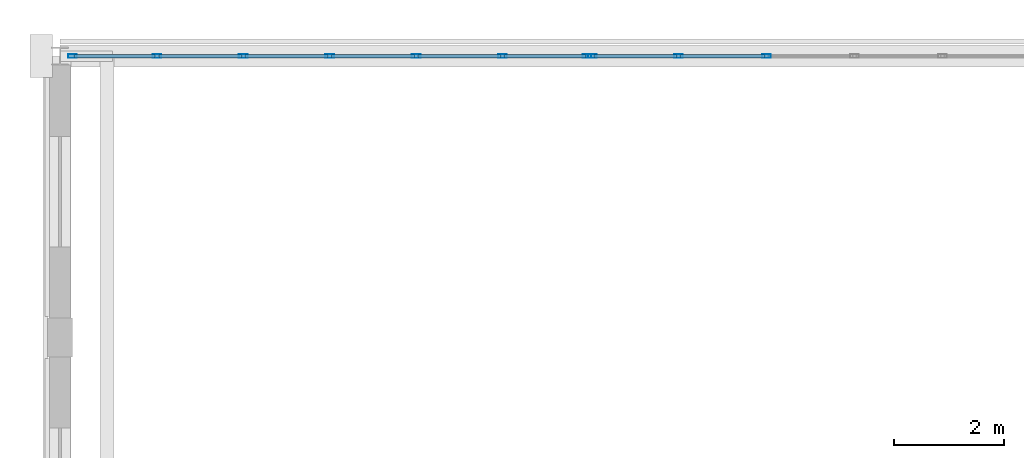
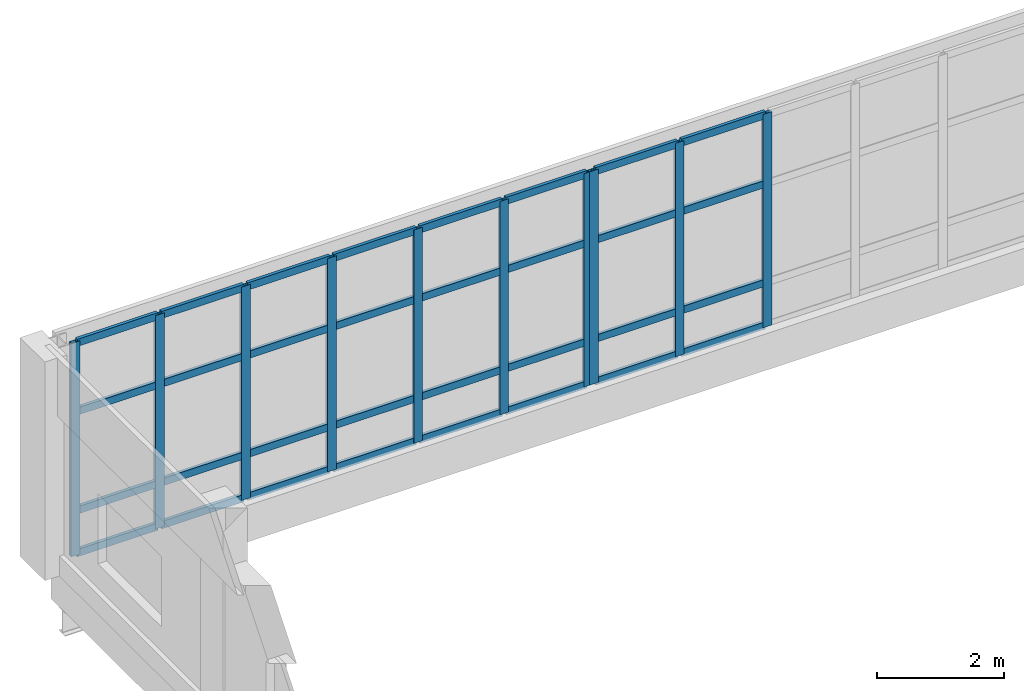
# One storey, part 55 of 170: 42 members, 2 elements without a shape of their own.
"""IFC4 building model written with IfcOpenShell, lengths in metres."""

import ifcopenshell
import ifcopenshell.guid

model = None  # the IFC model being written
_history = None  # IfcOwnerHistory: only IFC2X3 demands one
_inside = {}  # id of a spatial element -> (the spatial element, [elements in it])
_under = {}  # id of a project, library or spatial element -> (it, [spatial elements below it])
_declared = {}  # id of a project -> (the project, [libraries it declares])
_typed = {}  # id of a type object -> (the type object, [elements of that type])
_made_of = {}  # id of a material, layer set ... -> (it, [elements and type objects made of it])


def new_model(schema):
    """Start an empty IFC model of exactly this schema.

    Asked for "IFC4X3", IfcOpenShell would pick the latest addendum, in which some entities
    have other attributes; the version numbers below select the first issue.
    IFC2X3 requires an IfcOwnerHistory on every rooted entity: one is made here for all.
    """
    global model, _history
    if schema == "IFC4X3":
        model = ifcopenshell.file(schema_version=(4, 3, 0, 0))
    else:
        model = ifcopenshell.file(schema=schema)
    _inside.clear()
    _under.clear()
    _declared.clear()
    _typed.clear()
    _made_of.clear()
    _history = None
    if model.schema == "IFC2X3":
        org = make("IfcOrganization", Name="unknown")
        user = make(
            "IfcPersonAndOrganization",
            ThePerson=make("IfcPerson", FamilyName="unknown"),
            TheOrganization=org,
        )
        app = make(
            "IfcApplication",
            ApplicationDeveloper=org,
            Version="unknown",
            ApplicationFullName="unknown",
            ApplicationIdentifier="unknown",
        )
        _history = make(
            "IfcOwnerHistory",
            OwningUser=user,
            OwningApplication=app,
            ChangeAction="ADDED",
            CreationDate=0,
        )
    return model


def make(cls, **values):
    """One entity of the class cls with the attributes given. An attribute that is None is left unset."""
    return model.create_entity(
        cls, **{name: value for name, value in values.items() if value is not None}
    )


def rooted(cls, **values):
    """An entity with a GlobalId (a new one), such as an element, a storey or a relation."""
    return make(cls, GlobalId=ifcopenshell.guid.new(), OwnerHistory=_history, **values)


def si_unit(unit_type, name, prefix=None):
    """IfcSIUnit, for example si_unit("LENGTHUNIT", "METRE", prefix="MILLI")."""
    return make("IfcSIUnit", UnitType=unit_type, Prefix=prefix, Name=name)


def assignment(units):
    """IfcUnitAssignment: the units of a project."""
    return None if units is None else make("IfcUnitAssignment", Units=units)


def point(xyz):
    """IfcCartesianPoint."""
    return None if xyz is None else make("IfcCartesianPoint", Coordinates=xyz)


def direction(xyz):
    """IfcDirection."""
    return None if xyz is None else make("IfcDirection", DirectionRatios=xyz)


def frame(location, z_axis=None, x_axis=None):
    """IfcAxis2Placement3D, a coordinate frame: its origin and axes. An axis left out is left unset."""
    return make(
        "IfcAxis2Placement3D",
        Location=point(location),
        Axis=direction(z_axis),
        RefDirection=direction(x_axis),
    )


def frame_2d(location, x_axis=None):
    """IfcAxis2Placement2D, a coordinate frame in the plane: its origin and x axis."""
    return make(
        "IfcAxis2Placement2D", Location=point(location), RefDirection=direction(x_axis)
    )


def origin():
    """The frame at (0, 0, 0) with its axes left unset."""
    return frame((0.0, 0.0, 0.0))


def origin_2d():
    """The frame at (0, 0) in the plane with its x axis left unset."""
    return frame_2d((0.0, 0.0))


def place(relative_to, where):
    """IfcLocalPlacement: puts the frame where relative to a parent placement (None: the world)."""
    return make(
        "IfcLocalPlacement", PlacementRelTo=relative_to, RelativePlacement=where
    )


def context(
    kind, dimensions, precision=None, world=None, true_north=None, identifier=None
):
    """IfcGeometricRepresentationContext, for example the 3D "Model" context."""
    return make(
        "IfcGeometricRepresentationContext",
        ContextIdentifier=identifier,
        ContextType=kind,
        CoordinateSpaceDimension=dimensions,
        Precision=precision,
        WorldCoordinateSystem=world,
        TrueNorth=true_north,
    )


def subcontext(parent, identifier, kind, view, scale=None):
    """IfcGeometricRepresentationSubContext, for example "Body" below "Model"."""
    return make(
        "IfcGeometricRepresentationSubContext",
        ContextIdentifier=identifier,
        ContextType=kind,
        ParentContext=parent,
        TargetScale=scale,
        TargetView=view,
    )


def project(units=None, contexts=None):
    """IfcProject with its units and contexts."""
    return rooted(
        "IfcProject",
        Name="project",
        RepresentationContexts=contexts,
        UnitsInContext=assignment(units),
    )


def spatial(cls, under=None, at=None, **own):
    """A site, building, storey or space (cls), placed at a placement, below another one or the project."""
    s = rooted(cls, ObjectPlacement=at, **own)
    if under is not None:
        _under.setdefault(under.id(), (under, []))[1].append(s)
    return s


def profile(cls, at=None, kind="AREA", **sizes):
    """A parametric profile (cls). Its sizes go by their IFC names, for example OverallWidth=200.0."""
    return make(cls, ProfileType=kind, Position=at, **sizes)


def hollow_rectangle(**sizes):
    """IfcRectangleHollowProfileDef."""
    return profile("IfcRectangleHollowProfileDef", **sizes)


def extrude(swept, where, along, depth):
    """IfcExtrudedAreaSolid: the profile swept, set in the frame where, extruded along a direction by depth."""
    return make(
        "IfcExtrudedAreaSolid",
        SweptArea=swept,
        Position=where,
        ExtrudedDirection=direction(along),
        Depth=depth,
    )


def shape(context_of_items, identifier, shape_type, items):
    """IfcShapeRepresentation: the items that make up one representation, for example the "Body"."""
    return make(
        "IfcShapeRepresentation",
        ContextOfItems=context_of_items,
        RepresentationIdentifier=identifier,
        RepresentationType=shape_type,
        Items=items,
    )


def material(Name=None, Category=None):
    """IfcMaterial."""
    return make("IfcMaterial", Name=Name, Category=Category)


def material_profile(
    of_material, cross_section, Name=None, Category=None, Priority=None
):
    """IfcMaterialProfile: a cross section and its material."""
    return make(
        "IfcMaterialProfile",
        Name=Name,
        Material=of_material,
        Profile=cross_section,
        Priority=Priority,
        Category=Category,
    )


def profile_set(profiles, Name=None, composite=None):
    """IfcMaterialProfileSet."""
    return make(
        "IfcMaterialProfileSet",
        Name=Name,
        MaterialProfiles=profiles,
        CompositeProfile=composite,
    )


def made_of(thing, what):
    """Note that an element or type object is made of a material, layer set ...; save() writes the relation."""
    if what is not None:
        _made_of.setdefault(what.id(), (what, []))[1].append(thing)
    return thing


def type_object(cls, material=None, **own):
    """A type object (cls), such as IfcWallType, which elements share."""
    return made_of(rooted(cls, **own), material)


def element(
    cls,
    number,
    at=None,
    inside=None,
    cuts=None,
    type_object=None,
    material=None,
    context=None,
    identifier="Body",
    shape_type=None,
    held_by="IfcProductDefinitionShape",
    body=None,
    shapes=None,
    **own,
):
    """One element of the class cls, such as IfcWall. Its Tag is "e" and its number.

    at: its placement. inside: the storey or other place that contains it. cuts: it is an
    opening in that element (IfcRelVoidsElement). A single representation is given by context,
    identifier, shape_type and body (its items); several are given by shapes. held_by: the class
    of the entity that holds the representations. save() writes the other relations.
    """
    e = rooted(cls, Tag="e%d" % number, ObjectPlacement=at, **own)
    if body is not None:
        shapes = [shape(context, identifier, shape_type, body)]
    if shapes is not None:
        e.Representation = make(held_by, Representations=shapes)
    if inside is not None:
        _inside.setdefault(inside.id(), (inside, []))[1].append(e)
    if cuts is not None:
        rooted(
            "IfcRelVoidsElement", RelatingBuildingElement=cuts, RelatedOpeningElement=e
        )
    if type_object is not None:
        _typed.setdefault(type_object.id(), (type_object, []))[1].append(e)
    return made_of(e, material)


def aggregate(whole, parts):
    """IfcRelAggregates: a whole, such as a stair, and the parts it consists of."""
    return rooted("IfcRelAggregates", RelatingObject=whole, RelatedObjects=parts)


def save(model, path):
    """Write the relations noted so far, then the file.

    IfcRelAggregates (storeys below a building ...), IfcRelContainedInSpatialStructure (elements
    in a storey), IfcRelDefinesByType, IfcRelAssociatesMaterial and IfcRelDeclares: one each for
    every whole, place, type object, material and project.
    """
    for whole, parts in _under.values():
        aggregate(whole, parts)
    for where, things in _inside.values():
        rooted(
            "IfcRelContainedInSpatialStructure",
            RelatedElements=things,
            RelatingStructure=where,
        )
    for kind, things in _typed.values():
        rooted("IfcRelDefinesByType", RelatedObjects=things, RelatingType=kind)
    for what, things in _made_of.values():
        rooted("IfcRelAssociatesMaterial", RelatedObjects=things, RelatingMaterial=what)
    for by, libraries in _declared.values():
        rooted("IfcRelDeclares", RelatingContext=by, RelatedDefinitions=libraries)
    model.write(path)


model = new_model("IFC4")

# Units and contexts
model_context = context("Model", 3, precision=1e-05, world=origin(), true_north=direction((0.0, 1.0)))
body_context = subcontext(model_context, "Body", "Model", "MODEL_VIEW")
ifc_project = project(units=[si_unit("LENGTHUNIT", "METRE"), si_unit("AREAUNIT", "SQUARE_METRE"), si_unit("VOLUMEUNIT", "CUBIC_METRE"), si_unit("PLANEANGLEUNIT", "RADIAN"), si_unit("MASSUNIT", "GRAM", prefix="KILO")], contexts=[model_context])

# Site, building, storey
site_placement = place(None, origin())
site = spatial("IfcSite", under=ifc_project, at=site_placement, CompositionType="ELEMENT")
building_placement = place(site_placement, origin())
building = spatial("IfcBuilding", under=site, at=building_placement, Name="Vondelvale Polytechnic", CompositionType="ELEMENT")
storey_placement = place(building_placement, frame((0.0, 0.0, 5.39990234375)))
storey = spatial("IfcBuildingStorey", under=building, at=storey_placement, Name="L01", CompositionType="ELEMENT", Elevation=5.39990234375)

# Curtain wall, members
ifc_material = material(Name="Anodised extruded aluminium 6063-T6", Category="aluminium")
curtain_wall_type = type_object("IfcCurtainWallType", Name="CW-STUDIO-NORTH", PredefinedType="NOTDEFINED", material=ifc_material)
curtain_wall_1_placement = place(storey_placement, origin())
curtain_wall_1 = element("IfcCurtainWall", 1, at=curtain_wall_1_placement, inside=storey, type_object=curtain_wall_type, Name="L01 architectural curtain wall CW-01-001", PredefinedType="NOTDEFINED")
ifc_material_profile_1 = material_profile(ifc_material, hollow_rectangle(XDim=0.06494140625, YDim=0.159912109375, WallThickness=0.0048828125, at=origin_2d()), Name="CW-MUL-160x65")
ifc_profile_set_1 = profile_set([ifc_material_profile_1], Name="Anodised extruded aluminium 6063-T6")
member_type_1 = type_object("IfcMemberType", Name="CW-MUL-65x160", PredefinedType="MULLION", material=ifc_profile_set_1)
member_1_placement = place(storey_placement, frame((0.22607421875, 122.39990234375, 0.0), z_axis=(0.0, 0.0, 1.0), x_axis=(0.0, 1.0, 0.0)))
member_1 = element("IfcMember", 2, at=member_1_placement, type_object=member_type_1, Name="CW-01-001 mullion 1", PredefinedType="MULLION", context=body_context, shape_type="SweptSolid", body=[
    extrude(hollow_rectangle(XDim=0.06494140625, YDim=0.159912109375, WallThickness=0.0048828125, at=origin_2d()), origin(), (0.0, 0.0, 1.0), 4.10009765625),
])
member_2_placement = place(storey_placement, frame((1.7587890625, 122.39990234375, 0.0), z_axis=(0.0, 0.0, 1.0), x_axis=(0.0, 1.0, 0.0)))
member_2 = element("IfcMember", 3, at=member_2_placement, type_object=member_type_1, Name="CW-01-001 mullion 2", PredefinedType="MULLION", context=body_context, shape_type="SweptSolid", body=[
    extrude(hollow_rectangle(XDim=0.06494140625, YDim=0.159912109375, WallThickness=0.0048828125, at=origin_2d()), origin(), (0.0, 0.0, 1.0), 4.10009765625),
])
member_3_placement = place(storey_placement, frame((3.323974609375, 122.39990234375, 0.0), z_axis=(0.0, 0.0, 1.0), x_axis=(0.0, 1.0, 0.0)))
member_3 = element("IfcMember", 4, at=member_3_placement, type_object=member_type_1, Name="CW-01-001 mullion 3", PredefinedType="MULLION", context=body_context, shape_type="SweptSolid", body=[
    extrude(hollow_rectangle(XDim=0.06494140625, YDim=0.159912109375, WallThickness=0.0048828125, at=origin_2d()), origin(), (0.0, 0.0, 1.0), 4.10009765625),
])
member_4_placement = place(storey_placement, frame((4.88916015625, 122.39990234375, 0.0), z_axis=(0.0, 0.0, 1.0), x_axis=(0.0, 1.0, 0.0)))
member_4 = element("IfcMember", 5, at=member_4_placement, type_object=member_type_1, Name="CW-01-001 mullion 4", PredefinedType="MULLION", context=body_context, shape_type="SweptSolid", body=[
    extrude(hollow_rectangle(XDim=0.06494140625, YDim=0.159912109375, WallThickness=0.0048828125, at=origin_2d()), origin(), (0.0, 0.0, 1.0), 4.10009765625),
])
member_5_placement = place(storey_placement, frame((6.45458984375, 122.39990234375, 0.0), z_axis=(0.0, 0.0, 1.0), x_axis=(0.0, 1.0, 0.0)))
member_5 = element("IfcMember", 6, at=member_5_placement, type_object=member_type_1, Name="CW-01-001 mullion 5", PredefinedType="MULLION", context=body_context, shape_type="SweptSolid", body=[
    extrude(hollow_rectangle(XDim=0.06494140625, YDim=0.159912109375, WallThickness=0.0048828125, at=origin_2d()), origin(), (0.0, 0.0, 1.0), 4.10009765625),
])
member_6_placement = place(storey_placement, frame((8.019775390625, 122.39990234375, 0.0), z_axis=(0.0, 0.0, 1.0), x_axis=(0.0, 1.0, 0.0)))
member_6 = element("IfcMember", 7, at=member_6_placement, type_object=member_type_1, Name="CW-01-001 mullion 6", PredefinedType="MULLION", context=body_context, shape_type="SweptSolid", body=[
    extrude(hollow_rectangle(XDim=0.06494140625, YDim=0.159912109375, WallThickness=0.0048828125, at=origin_2d()), origin(), (0.0, 0.0, 1.0), 4.10009765625),
])
member_7_placement = place(storey_placement, frame((9.552490234375, 122.39990234375, 0.0), z_axis=(0.0, 0.0, 1.0), x_axis=(0.0, 1.0, 0.0)))
member_7 = element("IfcMember", 8, at=member_7_placement, type_object=member_type_1, Name="CW-01-001 mullion 7", PredefinedType="MULLION", context=body_context, shape_type="SweptSolid", body=[
    extrude(hollow_rectangle(XDim=0.06494140625, YDim=0.159912109375, WallThickness=0.0048828125, at=origin_2d()), origin(), (0.0, 0.0, 1.0), 4.10009765625),
])

curtain_wall_2_placement = place(storey_placement, origin())
curtain_wall_2 = element("IfcCurtainWall", 9, at=curtain_wall_2_placement, inside=storey, type_object=curtain_wall_type, Name="L01 architectural curtain wall CW-01-002", PredefinedType="NOTDEFINED")
member_8_placement = place(storey_placement, frame((9.6474609375, 122.39990234375, 0.0), z_axis=(0.0, 0.0, 1.0), x_axis=(0.0, 1.0, 0.0)))
member_8 = element("IfcMember", 10, at=member_8_placement, type_object=member_type_1, Name="CW-01-002 mullion 1", PredefinedType="MULLION", context=body_context, shape_type="SweptSolid", body=[
    extrude(hollow_rectangle(XDim=0.06494140625, YDim=0.159912109375, WallThickness=0.0048828125, at=origin_2d()), origin(), (0.0, 0.0, 1.0), 4.10009765625),
])
member_9_placement = place(storey_placement, frame((11.2099609375, 122.39990234375, 0.0), z_axis=(0.0, 0.0, 1.0), x_axis=(0.0, 1.0, 0.0)))
member_9 = element("IfcMember", 11, at=member_9_placement, type_object=member_type_1, Name="CW-01-002 mullion 2", PredefinedType="MULLION", context=body_context, shape_type="SweptSolid", body=[
    extrude(hollow_rectangle(XDim=0.06494140625, YDim=0.159912109375, WallThickness=0.0048828125, at=origin_2d()), origin(), (0.0, 0.0, 1.0), 4.10009765625),
])
member_10_placement = place(storey_placement, frame((12.804931640625, 122.39990234375, 0.0), z_axis=(0.0, 0.0, 1.0), x_axis=(0.0, 1.0, 0.0)))
member_10 = element("IfcMember", 12, at=member_10_placement, type_object=member_type_1, Name="CW-01-002 mullion 3", PredefinedType="MULLION", context=body_context, shape_type="SweptSolid", body=[
    extrude(hollow_rectangle(XDim=0.06494140625, YDim=0.159912109375, WallThickness=0.0048828125, at=origin_2d()), origin(), (0.0, 0.0, 1.0), 4.10009765625),
])

# Member
ifc_material_profile_2 = material_profile(ifc_material, hollow_rectangle(XDim=0.06005859375, YDim=0.139892578125, WallThickness=0.00341796875, at=origin_2d()), Name="CW-TRN-140x60")
ifc_profile_set_2 = profile_set([ifc_material_profile_2], Name="Anodised extruded aluminium 6063-T6")
member_type_2 = type_object("IfcMemberType", Name="CW-TRN-60x140", PredefinedType="USERDEFINED", material=ifc_profile_set_2)
member_11_placement = place(storey_placement, frame((0.258544921875, 122.39990234375, 0.030029296875), z_axis=(1.0, 0.0, 0.0), x_axis=(0.0, 1.0, 0.0)))
member_11 = element("IfcMember", 13, at=member_11_placement, type_object=member_type_2, Name="CW-01-001 transom 1.1", ObjectType="TRANSOM", PredefinedType="USERDEFINED", context=body_context, shape_type="SweptSolid", body=[
    extrude(hollow_rectangle(XDim=0.06005859375, YDim=0.139892578125, WallThickness=0.00341796875, at=origin_2d()), origin(), (0.0, 0.0, 1.0), 1.4677734375),
])

member_12_placement = place(storey_placement, frame((0.258544921875, 122.39990234375, 0.85009765625), z_axis=(1.0, 0.0, 0.0), x_axis=(0.0, 1.0, 0.0)))
member_12 = element("IfcMember", 14, at=member_12_placement, type_object=member_type_2, Name="CW-01-001 transom 1.2", ObjectType="TRANSOM", PredefinedType="USERDEFINED", context=body_context, shape_type="SweptSolid", body=[
    extrude(hollow_rectangle(XDim=0.06005859375, YDim=0.139892578125, WallThickness=0.00341796875, at=origin_2d()), origin(), (0.0, 0.0, 1.0), 1.4677734375),
])

member_13_placement = place(storey_placement, frame((0.258544921875, 122.39990234375, 2.75), z_axis=(1.0, 0.0, 0.0), x_axis=(0.0, 1.0, 0.0)))
member_13 = element("IfcMember", 15, at=member_13_placement, type_object=member_type_2, Name="CW-01-001 transom 1.3", ObjectType="TRANSOM", PredefinedType="USERDEFINED", context=body_context, shape_type="SweptSolid", body=[
    extrude(hollow_rectangle(XDim=0.06005859375, YDim=0.139892578125, WallThickness=0.00341796875, at=origin_2d()), origin(), (0.0, 0.0, 1.0), 1.4677734375),
])

member_14_placement = place(storey_placement, frame((0.258544921875, 122.39990234375, 4.070068359375), z_axis=(1.0, 0.0, 0.0), x_axis=(0.0, 1.0, 0.0)))
member_14 = element("IfcMember", 16, at=member_14_placement, type_object=member_type_2, Name="CW-01-001 transom 1.4", ObjectType="TRANSOM", PredefinedType="USERDEFINED", context=body_context, shape_type="SweptSolid", body=[
    extrude(hollow_rectangle(XDim=0.06005859375, YDim=0.139892578125, WallThickness=0.00341796875, at=origin_2d()), origin(), (0.0, 0.0, 1.0), 1.4677734375),
])

member_15_placement = place(storey_placement, frame((1.791259765625, 122.39990234375, 0.030029296875), z_axis=(1.0, 0.0, 0.0), x_axis=(0.0, 1.0, 0.0)))
member_15 = element("IfcMember", 17, at=member_15_placement, type_object=member_type_2, Name="CW-01-001 transom 2.1", ObjectType="TRANSOM", PredefinedType="USERDEFINED", context=body_context, shape_type="SweptSolid", body=[
    extrude(hollow_rectangle(XDim=0.06005859375, YDim=0.139892578125, WallThickness=0.00341796875, at=origin_2d()), origin(), (0.0, 0.0, 1.0), 1.500244140625),
])

member_16_placement = place(storey_placement, frame((1.791259765625, 122.39990234375, 0.85009765625), z_axis=(1.0, 0.0, 0.0), x_axis=(0.0, 1.0, 0.0)))
member_16 = element("IfcMember", 18, at=member_16_placement, type_object=member_type_2, Name="CW-01-001 transom 2.2", ObjectType="TRANSOM", PredefinedType="USERDEFINED", context=body_context, shape_type="SweptSolid", body=[
    extrude(hollow_rectangle(XDim=0.06005859375, YDim=0.139892578125, WallThickness=0.00341796875, at=origin_2d()), origin(), (0.0, 0.0, 1.0), 1.500244140625),
])

member_17_placement = place(storey_placement, frame((1.791259765625, 122.39990234375, 2.75), z_axis=(1.0, 0.0, 0.0), x_axis=(0.0, 1.0, 0.0)))
member_17 = element("IfcMember", 19, at=member_17_placement, type_object=member_type_2, Name="CW-01-001 transom 2.3", ObjectType="TRANSOM", PredefinedType="USERDEFINED", context=body_context, shape_type="SweptSolid", body=[
    extrude(hollow_rectangle(XDim=0.06005859375, YDim=0.139892578125, WallThickness=0.00341796875, at=origin_2d()), origin(), (0.0, 0.0, 1.0), 1.500244140625),
])

member_18_placement = place(storey_placement, frame((1.791259765625, 122.39990234375, 4.070068359375), z_axis=(1.0, 0.0, 0.0), x_axis=(0.0, 1.0, 0.0)))
member_18 = element("IfcMember", 20, at=member_18_placement, type_object=member_type_2, Name="CW-01-001 transom 2.4", ObjectType="TRANSOM", PredefinedType="USERDEFINED", context=body_context, shape_type="SweptSolid", body=[
    extrude(hollow_rectangle(XDim=0.06005859375, YDim=0.139892578125, WallThickness=0.00341796875, at=origin_2d()), origin(), (0.0, 0.0, 1.0), 1.500244140625),
])

member_19_placement = place(storey_placement, frame((3.3564453125, 122.39990234375, 0.030029296875), z_axis=(1.0, 0.0, 0.0), x_axis=(0.0, 1.0, 0.0)))
member_19 = element("IfcMember", 21, at=member_19_placement, type_object=member_type_2, Name="CW-01-001 transom 3.1", ObjectType="TRANSOM", PredefinedType="USERDEFINED", context=body_context, shape_type="SweptSolid", body=[
    extrude(hollow_rectangle(XDim=0.06005859375, YDim=0.139892578125, WallThickness=0.00341796875, at=origin_2d()), origin(), (0.0, 0.0, 1.0), 1.500244140625),
])

member_20_placement = place(storey_placement, frame((3.3564453125, 122.39990234375, 0.85009765625), z_axis=(1.0, 0.0, 0.0), x_axis=(0.0, 1.0, 0.0)))
member_20 = element("IfcMember", 22, at=member_20_placement, type_object=member_type_2, Name="CW-01-001 transom 3.2", ObjectType="TRANSOM", PredefinedType="USERDEFINED", context=body_context, shape_type="SweptSolid", body=[
    extrude(hollow_rectangle(XDim=0.06005859375, YDim=0.139892578125, WallThickness=0.00341796875, at=origin_2d()), origin(), (0.0, 0.0, 1.0), 1.500244140625),
])

member_21_placement = place(storey_placement, frame((3.3564453125, 122.39990234375, 2.75), z_axis=(1.0, 0.0, 0.0), x_axis=(0.0, 1.0, 0.0)))
member_21 = element("IfcMember", 23, at=member_21_placement, type_object=member_type_2, Name="CW-01-001 transom 3.3", ObjectType="TRANSOM", PredefinedType="USERDEFINED", context=body_context, shape_type="SweptSolid", body=[
    extrude(hollow_rectangle(XDim=0.06005859375, YDim=0.139892578125, WallThickness=0.00341796875, at=origin_2d()), origin(), (0.0, 0.0, 1.0), 1.500244140625),
])

member_22_placement = place(storey_placement, frame((3.3564453125, 122.39990234375, 4.070068359375), z_axis=(1.0, 0.0, 0.0), x_axis=(0.0, 1.0, 0.0)))
member_22 = element("IfcMember", 24, at=member_22_placement, type_object=member_type_2, Name="CW-01-001 transom 3.4", ObjectType="TRANSOM", PredefinedType="USERDEFINED", context=body_context, shape_type="SweptSolid", body=[
    extrude(hollow_rectangle(XDim=0.06005859375, YDim=0.139892578125, WallThickness=0.00341796875, at=origin_2d()), origin(), (0.0, 0.0, 1.0), 1.500244140625),
])

member_23_placement = place(storey_placement, frame((4.921630859375, 122.39990234375, 0.030029296875), z_axis=(1.0, 0.0, 0.0), x_axis=(0.0, 1.0, 0.0)))
member_23 = element("IfcMember", 25, at=member_23_placement, type_object=member_type_2, Name="CW-01-001 transom 4.1", ObjectType="TRANSOM", PredefinedType="USERDEFINED", context=body_context, shape_type="SweptSolid", body=[
    extrude(hollow_rectangle(XDim=0.06005859375, YDim=0.139892578125, WallThickness=0.00341796875, at=origin_2d()), origin(), (0.0, 0.0, 1.0), 1.50048828125),
])

member_24_placement = place(storey_placement, frame((4.921630859375, 122.39990234375, 0.85009765625), z_axis=(1.0, 0.0, 0.0), x_axis=(0.0, 1.0, 0.0)))
member_24 = element("IfcMember", 26, at=member_24_placement, type_object=member_type_2, Name="CW-01-001 transom 4.2", ObjectType="TRANSOM", PredefinedType="USERDEFINED", context=body_context, shape_type="SweptSolid", body=[
    extrude(hollow_rectangle(XDim=0.06005859375, YDim=0.139892578125, WallThickness=0.00341796875, at=origin_2d()), origin(), (0.0, 0.0, 1.0), 1.50048828125),
])

member_25_placement = place(storey_placement, frame((4.921630859375, 122.39990234375, 2.75), z_axis=(1.0, 0.0, 0.0), x_axis=(0.0, 1.0, 0.0)))
member_25 = element("IfcMember", 27, at=member_25_placement, type_object=member_type_2, Name="CW-01-001 transom 4.3", ObjectType="TRANSOM", PredefinedType="USERDEFINED", context=body_context, shape_type="SweptSolid", body=[
    extrude(hollow_rectangle(XDim=0.06005859375, YDim=0.139892578125, WallThickness=0.00341796875, at=origin_2d()), origin(), (0.0, 0.0, 1.0), 1.50048828125),
])

member_26_placement = place(storey_placement, frame((4.921630859375, 122.39990234375, 4.070068359375), z_axis=(1.0, 0.0, 0.0), x_axis=(0.0, 1.0, 0.0)))
member_26 = element("IfcMember", 28, at=member_26_placement, type_object=member_type_2, Name="CW-01-001 transom 4.4", ObjectType="TRANSOM", PredefinedType="USERDEFINED", context=body_context, shape_type="SweptSolid", body=[
    extrude(hollow_rectangle(XDim=0.06005859375, YDim=0.139892578125, WallThickness=0.00341796875, at=origin_2d()), origin(), (0.0, 0.0, 1.0), 1.50048828125),
])

member_27_placement = place(storey_placement, frame((6.487060546875, 122.39990234375, 0.030029296875), z_axis=(1.0, 0.0, 0.0), x_axis=(0.0, 1.0, 0.0)))
member_27 = element("IfcMember", 29, at=member_27_placement, type_object=member_type_2, Name="CW-01-001 transom 5.1", ObjectType="TRANSOM", PredefinedType="USERDEFINED", context=body_context, shape_type="SweptSolid", body=[
    extrude(hollow_rectangle(XDim=0.06005859375, YDim=0.139892578125, WallThickness=0.00341796875, at=origin_2d()), origin(), (0.0, 0.0, 1.0), 1.500244140625),
])

member_28_placement = place(storey_placement, frame((6.487060546875, 122.39990234375, 0.85009765625), z_axis=(1.0, 0.0, 0.0), x_axis=(0.0, 1.0, 0.0)))
member_28 = element("IfcMember", 30, at=member_28_placement, type_object=member_type_2, Name="CW-01-001 transom 5.2", ObjectType="TRANSOM", PredefinedType="USERDEFINED", context=body_context, shape_type="SweptSolid", body=[
    extrude(hollow_rectangle(XDim=0.06005859375, YDim=0.139892578125, WallThickness=0.00341796875, at=origin_2d()), origin(), (0.0, 0.0, 1.0), 1.500244140625),
])

member_29_placement = place(storey_placement, frame((6.487060546875, 122.39990234375, 2.75), z_axis=(1.0, 0.0, 0.0), x_axis=(0.0, 1.0, 0.0)))
member_29 = element("IfcMember", 31, at=member_29_placement, type_object=member_type_2, Name="CW-01-001 transom 5.3", ObjectType="TRANSOM", PredefinedType="USERDEFINED", context=body_context, shape_type="SweptSolid", body=[
    extrude(hollow_rectangle(XDim=0.06005859375, YDim=0.139892578125, WallThickness=0.00341796875, at=origin_2d()), origin(), (0.0, 0.0, 1.0), 1.500244140625),
])

member_30_placement = place(storey_placement, frame((6.487060546875, 122.39990234375, 4.070068359375), z_axis=(1.0, 0.0, 0.0), x_axis=(0.0, 1.0, 0.0)))
member_30 = element("IfcMember", 32, at=member_30_placement, type_object=member_type_2, Name="CW-01-001 transom 5.4", ObjectType="TRANSOM", PredefinedType="USERDEFINED", context=body_context, shape_type="SweptSolid", body=[
    extrude(hollow_rectangle(XDim=0.06005859375, YDim=0.139892578125, WallThickness=0.00341796875, at=origin_2d()), origin(), (0.0, 0.0, 1.0), 1.500244140625),
])

member_31_placement = place(storey_placement, frame((8.05224609375, 122.39990234375, 0.030029296875), z_axis=(1.0, 0.0, 0.0), x_axis=(0.0, 1.0, 0.0)))
member_31 = element("IfcMember", 33, at=member_31_placement, type_object=member_type_2, Name="CW-01-001 transom 6.1", ObjectType="TRANSOM", PredefinedType="USERDEFINED", context=body_context, shape_type="SweptSolid", body=[
    extrude(hollow_rectangle(XDim=0.06005859375, YDim=0.139892578125, WallThickness=0.00341796875, at=origin_2d()), origin(), (0.0, 0.0, 1.0), 1.4677734375),
])

member_32_placement = place(storey_placement, frame((8.05224609375, 122.39990234375, 0.85009765625), z_axis=(1.0, 0.0, 0.0), x_axis=(0.0, 1.0, 0.0)))
member_32 = element("IfcMember", 34, at=member_32_placement, type_object=member_type_2, Name="CW-01-001 transom 6.2", ObjectType="TRANSOM", PredefinedType="USERDEFINED", context=body_context, shape_type="SweptSolid", body=[
    extrude(hollow_rectangle(XDim=0.06005859375, YDim=0.139892578125, WallThickness=0.00341796875, at=origin_2d()), origin(), (0.0, 0.0, 1.0), 1.4677734375),
])

member_33_placement = place(storey_placement, frame((8.05224609375, 122.39990234375, 2.75), z_axis=(1.0, 0.0, 0.0), x_axis=(0.0, 1.0, 0.0)))
member_33 = element("IfcMember", 35, at=member_33_placement, type_object=member_type_2, Name="CW-01-001 transom 6.3", ObjectType="TRANSOM", PredefinedType="USERDEFINED", context=body_context, shape_type="SweptSolid", body=[
    extrude(hollow_rectangle(XDim=0.06005859375, YDim=0.139892578125, WallThickness=0.00341796875, at=origin_2d()), origin(), (0.0, 0.0, 1.0), 1.4677734375),
])

member_34_placement = place(storey_placement, frame((8.05224609375, 122.39990234375, 4.070068359375), z_axis=(1.0, 0.0, 0.0), x_axis=(0.0, 1.0, 0.0)))
member_34 = element("IfcMember", 36, at=member_34_placement, type_object=member_type_2, Name="CW-01-001 transom 6.4", ObjectType="TRANSOM", PredefinedType="USERDEFINED", context=body_context, shape_type="SweptSolid", body=[
    extrude(hollow_rectangle(XDim=0.06005859375, YDim=0.139892578125, WallThickness=0.00341796875, at=origin_2d()), origin(), (0.0, 0.0, 1.0), 1.4677734375),
])

aggregate(curtain_wall_1, [member_1, member_2, member_3, member_4, member_5, member_6, member_7, member_11, member_12, member_13, member_14, member_15, member_16, member_17, member_18, member_19, member_20, member_21, member_22, member_23, member_24, member_25, member_26, member_27, member_28, member_29, member_30, member_31, member_32, member_33, member_34])

member_35_placement = place(storey_placement, frame((9.679931640625, 122.39990234375, 0.030029296875), z_axis=(1.0, 0.0, 0.0), x_axis=(0.0, 1.0, 0.0)))
member_35 = element("IfcMember", 37, at=member_35_placement, type_object=member_type_2, Name="CW-01-002 transom 1.1", ObjectType="TRANSOM", PredefinedType="USERDEFINED", context=body_context, shape_type="SweptSolid", body=[
    extrude(hollow_rectangle(XDim=0.06005859375, YDim=0.139892578125, WallThickness=0.00341796875, at=origin_2d()), origin(), (0.0, 0.0, 1.0), 1.49755859375),
])

member_36_placement = place(storey_placement, frame((9.679931640625, 122.39990234375, 0.85009765625), z_axis=(1.0, 0.0, 0.0), x_axis=(0.0, 1.0, 0.0)))
member_36 = element("IfcMember", 38, at=member_36_placement, type_object=member_type_2, Name="CW-01-002 transom 1.2", ObjectType="TRANSOM", PredefinedType="USERDEFINED", context=body_context, shape_type="SweptSolid", body=[
    extrude(hollow_rectangle(XDim=0.06005859375, YDim=0.139892578125, WallThickness=0.00341796875, at=origin_2d()), origin(), (0.0, 0.0, 1.0), 1.49755859375),
])

member_37_placement = place(storey_placement, frame((9.679931640625, 122.39990234375, 2.75), z_axis=(1.0, 0.0, 0.0), x_axis=(0.0, 1.0, 0.0)))
member_37 = element("IfcMember", 39, at=member_37_placement, type_object=member_type_2, Name="CW-01-002 transom 1.3", ObjectType="TRANSOM", PredefinedType="USERDEFINED", context=body_context, shape_type="SweptSolid", body=[
    extrude(hollow_rectangle(XDim=0.06005859375, YDim=0.139892578125, WallThickness=0.00341796875, at=origin_2d()), origin(), (0.0, 0.0, 1.0), 1.49755859375),
])

member_38_placement = place(storey_placement, frame((9.679931640625, 122.39990234375, 4.070068359375), z_axis=(1.0, 0.0, 0.0), x_axis=(0.0, 1.0, 0.0)))
member_38 = element("IfcMember", 40, at=member_38_placement, type_object=member_type_2, Name="CW-01-002 transom 1.4", ObjectType="TRANSOM", PredefinedType="USERDEFINED", context=body_context, shape_type="SweptSolid", body=[
    extrude(hollow_rectangle(XDim=0.06005859375, YDim=0.139892578125, WallThickness=0.00341796875, at=origin_2d()), origin(), (0.0, 0.0, 1.0), 1.49755859375),
])

member_39_placement = place(storey_placement, frame((11.242431640625, 122.39990234375, 0.030029296875), z_axis=(1.0, 0.0, 0.0), x_axis=(0.0, 1.0, 0.0)))
member_39 = element("IfcMember", 41, at=member_39_placement, type_object=member_type_2, Name="CW-01-002 transom 2.1", ObjectType="TRANSOM", PredefinedType="USERDEFINED", context=body_context, shape_type="SweptSolid", body=[
    extrude(hollow_rectangle(XDim=0.06005859375, YDim=0.139892578125, WallThickness=0.00341796875, at=origin_2d()), origin(), (0.0, 0.0, 1.0), 1.530029296875),
])

member_40_placement = place(storey_placement, frame((11.242431640625, 122.39990234375, 0.85009765625), z_axis=(1.0, 0.0, 0.0), x_axis=(0.0, 1.0, 0.0)))
member_40 = element("IfcMember", 42, at=member_40_placement, type_object=member_type_2, Name="CW-01-002 transom 2.2", ObjectType="TRANSOM", PredefinedType="USERDEFINED", context=body_context, shape_type="SweptSolid", body=[
    extrude(hollow_rectangle(XDim=0.06005859375, YDim=0.139892578125, WallThickness=0.00341796875, at=origin_2d()), origin(), (0.0, 0.0, 1.0), 1.530029296875),
])

member_41_placement = place(storey_placement, frame((11.242431640625, 122.39990234375, 2.75), z_axis=(1.0, 0.0, 0.0), x_axis=(0.0, 1.0, 0.0)))
member_41 = element("IfcMember", 43, at=member_41_placement, type_object=member_type_2, Name="CW-01-002 transom 2.3", ObjectType="TRANSOM", PredefinedType="USERDEFINED", context=body_context, shape_type="SweptSolid", body=[
    extrude(hollow_rectangle(XDim=0.06005859375, YDim=0.139892578125, WallThickness=0.00341796875, at=origin_2d()), origin(), (0.0, 0.0, 1.0), 1.530029296875),
])

member_42_placement = place(storey_placement, frame((11.242431640625, 122.39990234375, 4.070068359375), z_axis=(1.0, 0.0, 0.0), x_axis=(0.0, 1.0, 0.0)))
member_42 = element("IfcMember", 44, at=member_42_placement, type_object=member_type_2, Name="CW-01-002 transom 2.4", ObjectType="TRANSOM", PredefinedType="USERDEFINED", context=body_context, shape_type="SweptSolid", body=[
    extrude(hollow_rectangle(XDim=0.06005859375, YDim=0.139892578125, WallThickness=0.00341796875, at=origin_2d()), origin(), (0.0, 0.0, 1.0), 1.530029296875),
])

aggregate(curtain_wall_2, [member_8, member_9, member_10, member_35, member_36, member_37, member_38, member_39, member_40, member_41, member_42])

save(model, "model.ifc")
